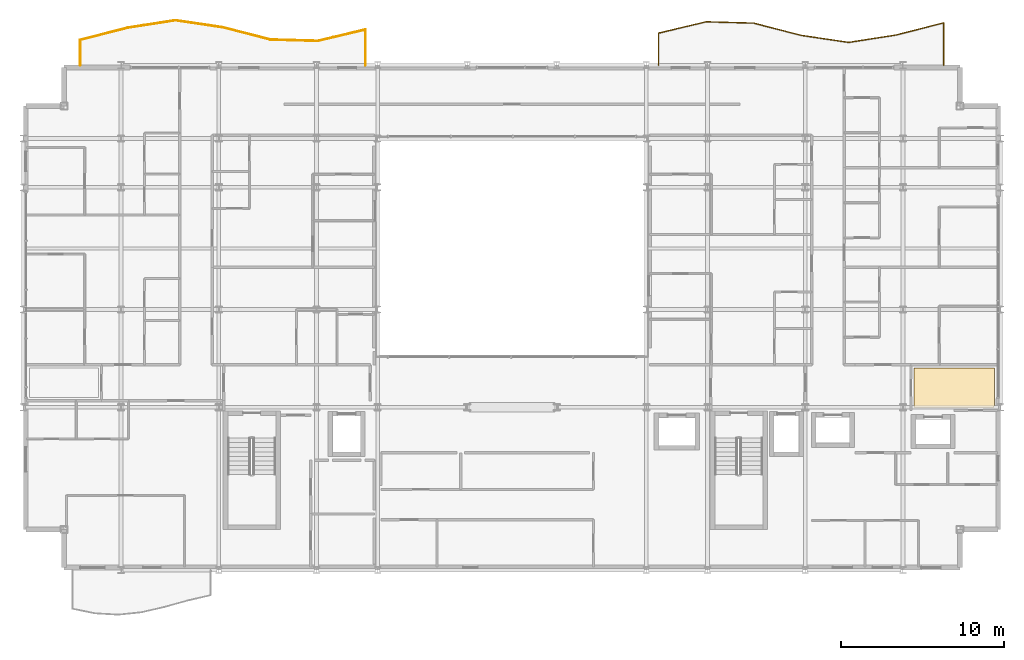
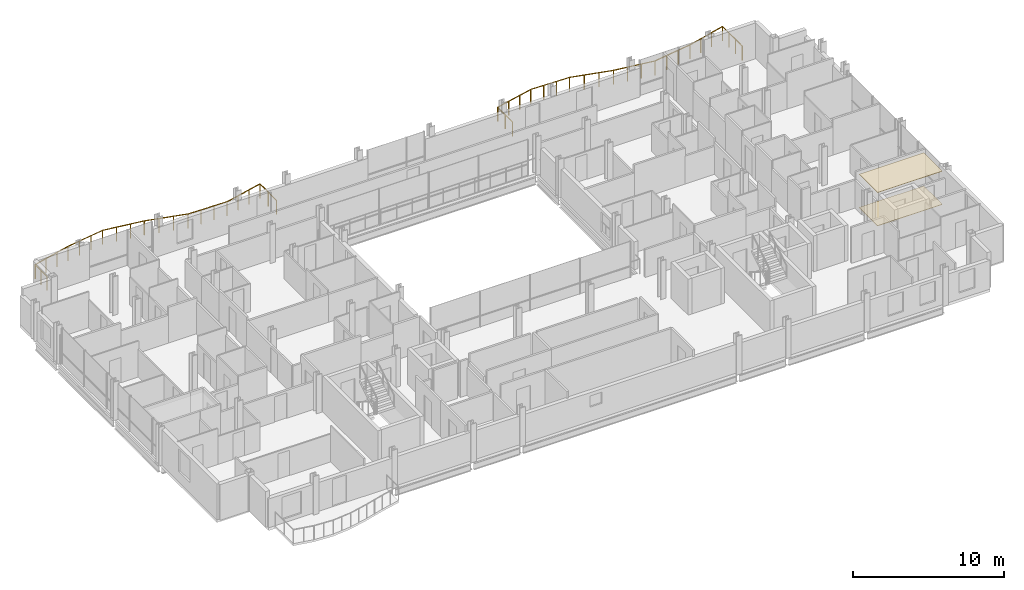
# One storey, part 40 of 40: 2 coverings, 2 railings.
"""IFC4 building model written with IfcOpenShell, lengths in metres."""

from ifc_helpers import new_model, si_unit, direction, frame, origin, origin_2d, place, context, subcontext, project, spatial, polyline, circle, outline, extrude, material, layer, layer_set, type_object, element, save


model = new_model("IFC4")

# Units and contexts
model_context = context("Model", 3, precision=1e-05, world=origin(), true_north=direction((0.0, 1.0)))
body_context = subcontext(model_context, "Body", "Model", "MODEL_VIEW")
ifc_project = project(units=[si_unit("LENGTHUNIT", "METRE"), si_unit("AREAUNIT", "SQUARE_METRE"), si_unit("VOLUMEUNIT", "CUBIC_METRE"), si_unit("PLANEANGLEUNIT", "RADIAN"), si_unit("MASSUNIT", "GRAM", prefix="KILO")], contexts=[model_context])

# Site, building, storey
site_placement = place(None, origin())
site = spatial("IfcSite", under=ifc_project, at=site_placement, CompositionType="ELEMENT")
building_placement = place(site_placement, origin())
building = spatial("IfcBuilding", under=site, at=building_placement, Name="Brevholm Reach", CompositionType="ELEMENT")
storey_placement = place(building_placement, frame((0.0, 0.0, 119.0)))
storey = spatial("IfcBuildingStorey", under=building, at=storey_placement, Name="L35", CompositionType="ELEMENT", Elevation=119.0)

# Coverings
ifc_material_1 = material(Name="Moisture-Resistant Skimmed Gypsum Plasterboard Ceiling", Category="gypsum")
ifc_layer_1 = layer(ifc_material_1, 0.030029296875)
ifc_layer_set_1 = layer_set([ifc_layer_1], Name="Moisture-Resistant Skimmed Gypsum Plasterboard Ceiling")
covering_type_1 = type_object("IfcCoveringType", Name="COV-CLG-GYP", PredefinedType="CEILING", material=ifc_layer_set_1)
covering_1_placement = place(storey_placement, frame((0.0, 0.0, 2.679931640625)))
element("IfcCovering", 1, at=covering_1_placement, inside=storey, type_object=covering_type_1, Name="L35 Suspended Ceiling L35-33", PredefinedType="CEILING", context=body_context, shape_type="SweptSolid", body=[
    extrude(outline(polyline([(59.6201171875, 12.419921875), (59.6201171875, 10.123779296875), (59.6171875, 10.1162109375), (59.607666015625, 10.077880859375), (59.601806640625, 10.039306640625), (59.60009765625, 10.0), (59.60107421875, 9.97998046875), (54.68408203125, 9.97998046875), (54.68408203125, 12.419921875), (59.6201171875, 12.419921875)])), origin(), (0.0, 0.0, 1.0), 0.030029296875),
])
ifc_material_2 = material(Name="Honed Portland-Aggregate Resin Terrazzo Flooring", Category="concrete")
ifc_layer_2 = layer(ifc_material_2, 0.031982421875)
ifc_layer_set_2 = layer_set([ifc_layer_2], Name="Honed Portland-Aggregate Resin Terrazzo Flooring")
covering_type_2 = type_object("IfcCoveringType", Name="COV-FLR-TRZ", PredefinedType="FLOORING", material=ifc_layer_set_2)
covering_2_placement = place(storey_placement, origin())
element("IfcCovering", 2, at=covering_2_placement, inside=storey, type_object=covering_type_2, Name="L35 Floor Finish L35-33", PredefinedType="FLOORING", context=body_context, shape_type="SweptSolid", body=[
    extrude(outline(polyline([(59.6201171875, 12.419921875), (59.6201171875, 10.123779296875), (59.6171875, 10.1162109375), (59.607666015625, 10.077880859375), (59.601806640625, 10.039306640625), (59.60009765625, 10.0), (59.60107421875, 9.97998046875), (54.68408203125, 9.97998046875), (54.68408203125, 12.419921875), (59.6201171875, 12.419921875)])), origin(), (0.0, 0.0, 1.0), 0.031982421875),
])

# Railings
ifc_material_3 = material(Name="Brushed Stainless Steel EN 1.4401 and Laminated Glass", Category="steel")
railing_type = type_object("IfcRailingType", Name="RAL-BALC-1150", PredefinedType="BALUSTRADE", material=ifc_material_3)
railing_1_placement = place(storey_placement, frame((56.5, 31.0, 0.0)))
element("IfcRailing", 3, at=railing_1_placement, inside=storey, type_object=railing_type, Name="L35 Guard Balustrade RAL-L35-BAL-NE", PredefinedType="BALUSTRADE", context=body_context, shape_type="SweptSolid", body=[
    extrude(circle(Radius=0.02392578125, at=origin_2d()), frame((0.0, 0.0, 1.1259765625), z_axis=(0.0, 1.0, 0.0), x_axis=(-1.0, 0.0, 0.0)), (0.0, 0.0, 1.0), 2.599609375),
    extrude(circle(Radius=0.02392578125, at=origin_2d()), frame((0.0, 2.599609375, 1.1259765625), z_axis=(-0.968942936238, -0.247284423921, 0.0), x_axis=(0.247284423921, -0.968942936238, 0.0)), (0.0, 0.0, 1.0), 3.01025390625),
    extrude(circle(Radius=0.02392578125, at=origin_2d()), frame((-2.916748046875, 1.855224609375, 1.1259765625), z_axis=(-0.988044338858, -0.154169985571, 0.0), x_axis=(0.154169985571, -0.988044338858, 0.0)), (0.0, 0.0, 1.0), 2.951904296875),
    extrude(circle(Radius=0.02392578125, at=origin_2d()), frame((-5.833251953125, 1.400146484375, 1.1259765625), z_axis=(-0.98916653389, 0.146797711943, 0.0), x_axis=(-0.146797711943, -0.98916653389, 0.0)), (0.0, 0.0, 1.0), 2.94873046875),
    extrude(circle(Radius=0.02392578125, at=origin_2d()), frame((-8.75, 1.8330078125, 1.1259765625), z_axis=(-0.968377202247, 0.2494906695, 0.0), x_axis=(-0.2494906695, -0.968377202247, 0.0)), (0.0, 0.0, 1.0), 3.011962890625),
    extrude(circle(Radius=0.02392578125, at=origin_2d()), frame((-11.666748046875, 2.58447265625, 1.1259765625), z_axis=(-0.99961635372, 0.027697389342, 0.0), x_axis=(-0.027697389342, -0.99961635372, 0.0)), (0.0, 0.0, 1.0), 2.917724609375),
    extrude(circle(Radius=0.02392578125, at=origin_2d()), frame((-14.583251953125, 2.665283203125, 1.1259765625), z_axis=(-0.972705660557, -0.23204244853, 0.0), x_axis=(0.23204244853, -0.972705660557, 0.0)), (0.0, 0.0, 1.0), 2.99853515625),
    extrude(circle(Radius=0.02392578125, at=origin_2d()), frame((-17.5, 1.969482421875, 1.1259765625), z_axis=(0.0, -1.0, 0.0), x_axis=(1.0, 0.0, 0.0)), (0.0, 0.0, 1.0), 1.969482421875),
    extrude(circle(Radius=0.02099609375, at=origin_2d()), origin(), (0.0, 0.0, 1.0), 1.101806640625),
    extrude(circle(Radius=0.02099609375, at=origin_2d()), frame((0.0, 0.866455078125, 0.0)), (0.0, 0.0, 1.0), 1.101806640625),
    extrude(circle(Radius=0.02099609375, at=origin_2d()), frame((0.0, 1.733154296875, 0.0)), (0.0, 0.0, 1.0), 1.101806640625),
    extrude(circle(Radius=0.02099609375, at=origin_2d()), frame((0.0, 2.599609375, 0.0)), (0.0, 0.0, 1.0), 1.101806640625),
    extrude(circle(Radius=0.02099609375, at=origin_2d()), frame((-0.97216796875, 2.3515625, 0.0)), (0.0, 0.0, 1.0), 1.101806640625),
    extrude(circle(Radius=0.02099609375, at=origin_2d()), frame((-1.944580078125, 2.103271484375, 0.0)), (0.0, 0.0, 1.0), 1.101806640625),
    extrude(circle(Radius=0.02099609375, at=origin_2d()), frame((-2.916748046875, 1.855224609375, 0.0)), (0.0, 0.0, 1.0), 1.101806640625),
    extrude(circle(Radius=0.02099609375, at=origin_2d()), frame((-3.888916015625, 1.70361328125, 0.0)), (0.0, 0.0, 1.0), 1.101806640625),
    extrude(circle(Radius=0.02099609375, at=origin_2d()), frame((-4.861083984375, 1.5517578125, 0.0)), (0.0, 0.0, 1.0), 1.101806640625),
    extrude(circle(Radius=0.02099609375, at=origin_2d()), frame((-5.833251953125, 1.400146484375, 0.0)), (0.0, 0.0, 1.0), 1.101806640625),
    extrude(circle(Radius=0.02099609375, at=origin_2d()), frame((-6.805419921875, 1.54443359375, 0.0)), (0.0, 0.0, 1.0), 1.101806640625),
    extrude(circle(Radius=0.02099609375, at=origin_2d()), frame((-7.77783203125, 1.688720703125, 0.0)), (0.0, 0.0, 1.0), 1.101806640625),
    extrude(circle(Radius=0.02099609375, at=origin_2d()), frame((-8.75, 1.8330078125, 0.0)), (0.0, 0.0, 1.0), 1.101806640625),
    extrude(circle(Radius=0.02099609375, at=origin_2d()), frame((-9.72216796875, 2.08349609375, 0.0)), (0.0, 0.0, 1.0), 1.101806640625),
    extrude(circle(Radius=0.02099609375, at=origin_2d()), frame((-10.694580078125, 2.333984375, 0.0)), (0.0, 0.0, 1.0), 1.101806640625),
    extrude(circle(Radius=0.02099609375, at=origin_2d()), frame((-11.666748046875, 2.58447265625, 0.0)), (0.0, 0.0, 1.0), 1.101806640625),
    extrude(circle(Radius=0.02099609375, at=origin_2d()), frame((-12.638916015625, 2.611328125, 0.0)), (0.0, 0.0, 1.0), 1.101806640625),
    extrude(circle(Radius=0.02099609375, at=origin_2d()), frame((-13.611083984375, 2.638427734375, 0.0)), (0.0, 0.0, 1.0), 1.101806640625),
    extrude(circle(Radius=0.02099609375, at=origin_2d()), frame((-14.583251953125, 2.665283203125, 0.0)), (0.0, 0.0, 1.0), 1.101806640625),
    extrude(circle(Radius=0.02099609375, at=origin_2d()), frame((-15.555419921875, 2.433349609375, 0.0)), (0.0, 0.0, 1.0), 1.101806640625),
    extrude(circle(Radius=0.02099609375, at=origin_2d()), frame((-16.52783203125, 2.201416015625, 0.0)), (0.0, 0.0, 1.0), 1.101806640625),
    extrude(circle(Radius=0.02099609375, at=origin_2d()), frame((-17.5, 1.969482421875, 0.0)), (0.0, 0.0, 1.0), 1.101806640625),
    extrude(circle(Radius=0.02099609375, at=origin_2d()), frame((-17.5, 0.98486328125, 0.0)), (0.0, 0.0, 1.0), 1.101806640625),
    extrude(circle(Radius=0.02099609375, at=origin_2d()), frame((-17.5, 0.0, 0.0)), (0.0, 0.0, 1.0), 1.101806640625),
])
railing_2_placement = place(storey_placement, frame((21.0, 31.0, 0.0)))
element("IfcRailing", 4, at=railing_2_placement, inside=storey, type_object=railing_type, Name="L35 Guard Balustrade RAL-L35-BAL-NW", PredefinedType="BALUSTRADE", context=body_context, shape_type="SweptSolid", body=[
    extrude(circle(Radius=0.02392578125, at=origin_2d()), frame((0.0, 0.0, 1.1259765625), z_axis=(0.0, 1.0, 0.0), x_axis=(-1.0, 0.0, 0.0)), (0.0, 0.0, 1.0), 2.1806640625),
    extrude(circle(Radius=0.02392578125, at=origin_2d()), frame((0.0, 2.1806640625, 1.1259765625), z_axis=(-0.972687280988, -0.232119480882, 0.0), x_axis=(0.232119480882, -0.972687280988, 0.0)), (0.0, 0.0, 1.0), 2.99853515625),
    extrude(circle(Radius=0.02392578125, at=origin_2d()), frame((-2.916748046875, 1.484619140625, 1.1259765625), z_axis=(-0.999614033457, 0.027781002771, 0.0), x_axis=(-0.027781002771, -0.999614033457, 0.0)), (0.0, 0.0, 1.0), 2.917724609375),
    extrude(circle(Radius=0.02392578125, at=origin_2d()), frame((-5.833251953125, 1.565673828125, 1.1259765625), z_axis=(-0.968396782901, 0.249414656482, 0.0), x_axis=(-0.249414656482, -0.968396782901, 0.0)), (0.0, 0.0, 1.0), 3.011962890625),
    extrude(circle(Radius=0.02392578125, at=origin_2d()), frame((-8.75, 2.31689453125, 1.1259765625), z_axis=(-0.989154508095, 0.146878722471, 0.0), x_axis=(-0.146878722471, -0.989154508095, 0.0)), (0.0, 0.0, 1.0), 2.94873046875),
    extrude(circle(Radius=0.02392578125, at=origin_2d()), frame((-11.666748046875, 2.75, 1.1259765625), z_axis=(-0.988044338858, -0.154169985571, 0.0), x_axis=(0.154169985571, -0.988044338858, 0.0)), (0.0, 0.0, 1.0), 2.951904296875),
    extrude(circle(Radius=0.02392578125, at=origin_2d()), frame((-14.583251953125, 2.294921875, 1.1259765625), z_axis=(-0.968923500885, -0.24736056564, 0.0), x_axis=(0.24736056564, -0.968923500885, 0.0)), (0.0, 0.0, 1.0), 3.01025390625),
    extrude(circle(Radius=0.02392578125, at=origin_2d()), frame((-17.5, 1.55029296875, 1.1259765625), z_axis=(0.0, -1.0, 0.0), x_axis=(1.0, 0.0, 0.0)), (0.0, 0.0, 1.0), 1.55029296875),
    extrude(circle(Radius=0.02099609375, at=origin_2d()), origin(), (0.0, 0.0, 1.0), 1.101806640625),
    extrude(circle(Radius=0.02099609375, at=origin_2d()), frame((0.0, 1.09033203125, 0.0)), (0.0, 0.0, 1.0), 1.101806640625),
    extrude(circle(Radius=0.02099609375, at=origin_2d()), frame((0.0, 2.1806640625, 0.0)), (0.0, 0.0, 1.0), 1.101806640625),
    extrude(circle(Radius=0.02099609375, at=origin_2d()), frame((-0.97216796875, 1.94873046875, 0.0)), (0.0, 0.0, 1.0), 1.101806640625),
    extrude(circle(Radius=0.02099609375, at=origin_2d()), frame((-1.944580078125, 1.716552734375, 0.0)), (0.0, 0.0, 1.0), 1.101806640625),
    extrude(circle(Radius=0.02099609375, at=origin_2d()), frame((-2.916748046875, 1.484619140625, 0.0)), (0.0, 0.0, 1.0), 1.101806640625),
    extrude(circle(Radius=0.02099609375, at=origin_2d()), frame((-3.888916015625, 1.51171875, 0.0)), (0.0, 0.0, 1.0), 1.101806640625),
    extrude(circle(Radius=0.02099609375, at=origin_2d()), frame((-4.861083984375, 1.53857421875, 0.0)), (0.0, 0.0, 1.0), 1.101806640625),
    extrude(circle(Radius=0.02099609375, at=origin_2d()), frame((-5.833251953125, 1.565673828125, 0.0)), (0.0, 0.0, 1.0), 1.101806640625),
    extrude(circle(Radius=0.02099609375, at=origin_2d()), frame((-6.805419921875, 1.816162109375, 0.0)), (0.0, 0.0, 1.0), 1.101806640625),
    extrude(circle(Radius=0.02099609375, at=origin_2d()), frame((-7.77783203125, 2.06640625, 0.0)), (0.0, 0.0, 1.0), 1.101806640625),
    extrude(circle(Radius=0.02099609375, at=origin_2d()), frame((-8.75, 2.31689453125, 0.0)), (0.0, 0.0, 1.0), 1.101806640625),
    extrude(circle(Radius=0.02099609375, at=origin_2d()), frame((-9.72216796875, 2.461181640625, 0.0)), (0.0, 0.0, 1.0), 1.101806640625),
    extrude(circle(Radius=0.02099609375, at=origin_2d()), frame((-10.694580078125, 2.605712890625, 0.0)), (0.0, 0.0, 1.0), 1.101806640625),
    extrude(circle(Radius=0.02099609375, at=origin_2d()), frame((-11.666748046875, 2.75, 0.0)), (0.0, 0.0, 1.0), 1.101806640625),
    extrude(circle(Radius=0.02099609375, at=origin_2d()), frame((-12.638916015625, 2.598388671875, 0.0)), (0.0, 0.0, 1.0), 1.101806640625),
    extrude(circle(Radius=0.02099609375, at=origin_2d()), frame((-13.611083984375, 2.446533203125, 0.0)), (0.0, 0.0, 1.0), 1.101806640625),
    extrude(circle(Radius=0.02099609375, at=origin_2d()), frame((-14.583251953125, 2.294921875, 0.0)), (0.0, 0.0, 1.0), 1.101806640625),
    extrude(circle(Radius=0.02099609375, at=origin_2d()), frame((-15.555419921875, 2.046630859375, 0.0)), (0.0, 0.0, 1.0), 1.101806640625),
    extrude(circle(Radius=0.02099609375, at=origin_2d()), frame((-16.52783203125, 1.798583984375, 0.0)), (0.0, 0.0, 1.0), 1.101806640625),
    extrude(circle(Radius=0.02099609375, at=origin_2d()), frame((-17.5, 1.55029296875, 0.0)), (0.0, 0.0, 1.0), 1.101806640625),
    extrude(circle(Radius=0.02099609375, at=origin_2d()), frame((-17.5, 0.775146484375, 0.0)), (0.0, 0.0, 1.0), 1.101806640625),
    extrude(circle(Radius=0.02099609375, at=origin_2d()), frame((-17.5, 0.0, 0.0)), (0.0, 0.0, 1.0), 1.101806640625),
])

save(model, "model.ifc")
